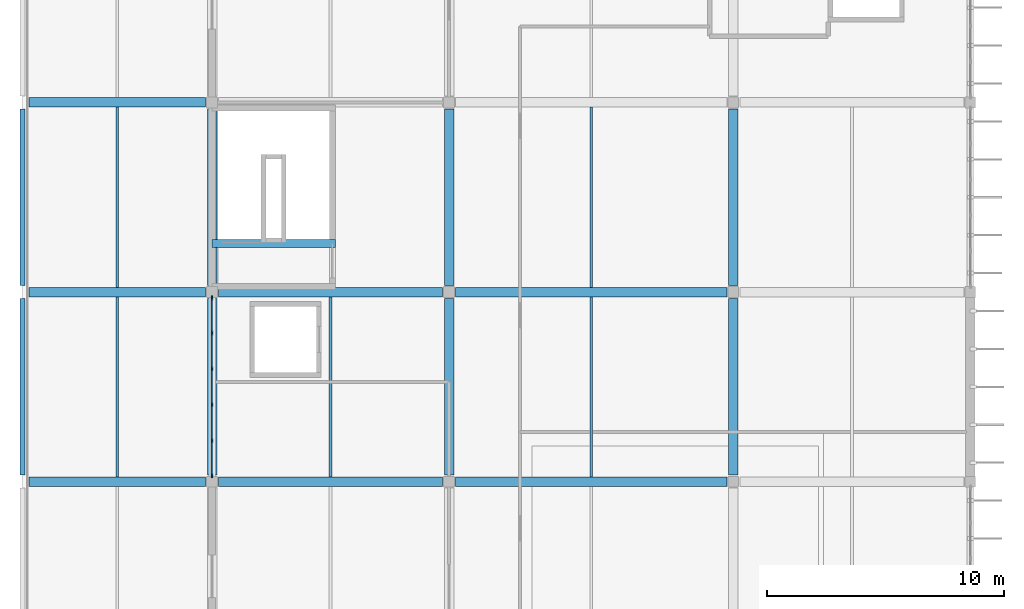
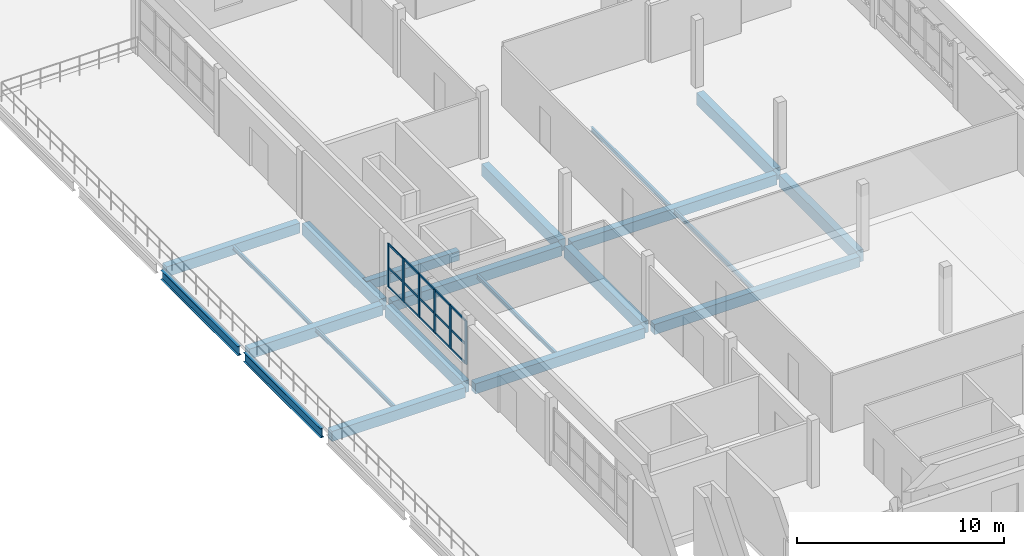
# One storey, part 4 of 12: 21 beams, 21 members, 1 element without a shape of its own.
"""IFC4 building model written with IfcOpenShell, lengths in metres."""

import ifcopenshell
import ifcopenshell.guid

model = None  # the IFC model being written
_history = None  # IfcOwnerHistory: only IFC2X3 demands one
_inside = {}  # id of a spatial element -> (the spatial element, [elements in it])
_under = {}  # id of a project, library or spatial element -> (it, [spatial elements below it])
_declared = {}  # id of a project -> (the project, [libraries it declares])
_typed = {}  # id of a type object -> (the type object, [elements of that type])
_made_of = {}  # id of a material, layer set ... -> (it, [elements and type objects made of it])


def new_model(schema):
    """Start an empty IFC model of exactly this schema.

    Asked for "IFC4X3", IfcOpenShell would pick the latest addendum, in which some entities
    have other attributes; the version numbers below select the first issue.
    IFC2X3 requires an IfcOwnerHistory on every rooted entity: one is made here for all.
    """
    global model, _history
    if schema == "IFC4X3":
        model = ifcopenshell.file(schema_version=(4, 3, 0, 0))
    else:
        model = ifcopenshell.file(schema=schema)
    _inside.clear()
    _under.clear()
    _declared.clear()
    _typed.clear()
    _made_of.clear()
    _history = None
    if model.schema == "IFC2X3":
        org = make("IfcOrganization", Name="unknown")
        user = make(
            "IfcPersonAndOrganization",
            ThePerson=make("IfcPerson", FamilyName="unknown"),
            TheOrganization=org,
        )
        app = make(
            "IfcApplication",
            ApplicationDeveloper=org,
            Version="unknown",
            ApplicationFullName="unknown",
            ApplicationIdentifier="unknown",
        )
        _history = make(
            "IfcOwnerHistory",
            OwningUser=user,
            OwningApplication=app,
            ChangeAction="ADDED",
            CreationDate=0,
        )
    return model


def make(cls, **values):
    """One entity of the class cls with the attributes given. An attribute that is None is left unset."""
    return model.create_entity(
        cls, **{name: value for name, value in values.items() if value is not None}
    )


def rooted(cls, **values):
    """An entity with a GlobalId (a new one), such as an element, a storey or a relation."""
    return make(cls, GlobalId=ifcopenshell.guid.new(), OwnerHistory=_history, **values)


def si_unit(unit_type, name, prefix=None):
    """IfcSIUnit, for example si_unit("LENGTHUNIT", "METRE", prefix="MILLI")."""
    return make("IfcSIUnit", UnitType=unit_type, Prefix=prefix, Name=name)


def assignment(units):
    """IfcUnitAssignment: the units of a project."""
    return None if units is None else make("IfcUnitAssignment", Units=units)


def point(xyz):
    """IfcCartesianPoint."""
    return None if xyz is None else make("IfcCartesianPoint", Coordinates=xyz)


def direction(xyz):
    """IfcDirection."""
    return None if xyz is None else make("IfcDirection", DirectionRatios=xyz)


def frame(location, z_axis=None, x_axis=None):
    """IfcAxis2Placement3D, a coordinate frame: its origin and axes. An axis left out is left unset."""
    return make(
        "IfcAxis2Placement3D",
        Location=point(location),
        Axis=direction(z_axis),
        RefDirection=direction(x_axis),
    )


def frame_2d(location, x_axis=None):
    """IfcAxis2Placement2D, a coordinate frame in the plane: its origin and x axis."""
    return make(
        "IfcAxis2Placement2D", Location=point(location), RefDirection=direction(x_axis)
    )


def origin():
    """The frame at (0, 0, 0) with its axes left unset."""
    return frame((0.0, 0.0, 0.0))


def origin_2d():
    """The frame at (0, 0) in the plane with its x axis left unset."""
    return frame_2d((0.0, 0.0))


def place(relative_to, where):
    """IfcLocalPlacement: puts the frame where relative to a parent placement (None: the world)."""
    return make(
        "IfcLocalPlacement", PlacementRelTo=relative_to, RelativePlacement=where
    )


def context(
    kind, dimensions, precision=None, world=None, true_north=None, identifier=None
):
    """IfcGeometricRepresentationContext, for example the 3D "Model" context."""
    return make(
        "IfcGeometricRepresentationContext",
        ContextIdentifier=identifier,
        ContextType=kind,
        CoordinateSpaceDimension=dimensions,
        Precision=precision,
        WorldCoordinateSystem=world,
        TrueNorth=true_north,
    )


def subcontext(parent, identifier, kind, view, scale=None):
    """IfcGeometricRepresentationSubContext, for example "Body" below "Model"."""
    return make(
        "IfcGeometricRepresentationSubContext",
        ContextIdentifier=identifier,
        ContextType=kind,
        ParentContext=parent,
        TargetScale=scale,
        TargetView=view,
    )


def project(units=None, contexts=None):
    """IfcProject with its units and contexts."""
    return rooted(
        "IfcProject",
        Name="project",
        RepresentationContexts=contexts,
        UnitsInContext=assignment(units),
    )


def spatial(cls, under=None, at=None, **own):
    """A site, building, storey or space (cls), placed at a placement, below another one or the project."""
    s = rooted(cls, ObjectPlacement=at, **own)
    if under is not None:
        _under.setdefault(under.id(), (under, []))[1].append(s)
    return s


def profile(cls, at=None, kind="AREA", **sizes):
    """A parametric profile (cls). Its sizes go by their IFC names, for example OverallWidth=200.0."""
    return make(cls, ProfileType=kind, Position=at, **sizes)


def rectangle(**sizes):
    """IfcRectangleProfileDef."""
    return profile("IfcRectangleProfileDef", **sizes)


def i_section(**sizes):
    """IfcIShapeProfileDef."""
    return profile("IfcIShapeProfileDef", **sizes)


def extrude(swept, where, along, depth):
    """IfcExtrudedAreaSolid: the profile swept, set in the frame where, extruded along a direction by depth."""
    return make(
        "IfcExtrudedAreaSolid",
        SweptArea=swept,
        Position=where,
        ExtrudedDirection=direction(along),
        Depth=depth,
    )


def shape(context_of_items, identifier, shape_type, items):
    """IfcShapeRepresentation: the items that make up one representation, for example the "Body"."""
    return make(
        "IfcShapeRepresentation",
        ContextOfItems=context_of_items,
        RepresentationIdentifier=identifier,
        RepresentationType=shape_type,
        Items=items,
    )


def material(Name=None, Category=None):
    """IfcMaterial."""
    return make("IfcMaterial", Name=Name, Category=Category)


def layer(
    of_material, thickness, ventilated=None, Name=None, Category=None, Priority=None
):
    """IfcMaterialLayer: one layer of a wall or slab, of a material (None: an air gap)."""
    return make(
        "IfcMaterialLayer",
        Material=of_material,
        LayerThickness=thickness,
        IsVentilated=ventilated,
        Name=Name,
        Category=Category,
        Priority=Priority,
    )


def layer_set(layers, Name=None):
    """IfcMaterialLayerSet."""
    return make("IfcMaterialLayerSet", MaterialLayers=layers, LayerSetName=Name)


def material_profile(
    of_material, cross_section, Name=None, Category=None, Priority=None
):
    """IfcMaterialProfile: a cross section and its material."""
    return make(
        "IfcMaterialProfile",
        Name=Name,
        Material=of_material,
        Profile=cross_section,
        Priority=Priority,
        Category=Category,
    )


def profile_set(profiles, Name=None, composite=None):
    """IfcMaterialProfileSet."""
    return make(
        "IfcMaterialProfileSet",
        Name=Name,
        MaterialProfiles=profiles,
        CompositeProfile=composite,
    )


def made_of(thing, what):
    """Note that an element or type object is made of a material, layer set ...; save() writes the relation."""
    if what is not None:
        _made_of.setdefault(what.id(), (what, []))[1].append(thing)
    return thing


def type_object(cls, material=None, **own):
    """A type object (cls), such as IfcWallType, which elements share."""
    return made_of(rooted(cls, **own), material)


def element(
    cls,
    number,
    at=None,
    inside=None,
    cuts=None,
    type_object=None,
    material=None,
    context=None,
    identifier="Body",
    shape_type=None,
    held_by="IfcProductDefinitionShape",
    body=None,
    shapes=None,
    **own,
):
    """One element of the class cls, such as IfcWall. Its Tag is "e" and its number.

    at: its placement. inside: the storey or other place that contains it. cuts: it is an
    opening in that element (IfcRelVoidsElement). A single representation is given by context,
    identifier, shape_type and body (its items); several are given by shapes. held_by: the class
    of the entity that holds the representations. save() writes the other relations.
    """
    e = rooted(cls, Tag="e%d" % number, ObjectPlacement=at, **own)
    if body is not None:
        shapes = [shape(context, identifier, shape_type, body)]
    if shapes is not None:
        e.Representation = make(held_by, Representations=shapes)
    if inside is not None:
        _inside.setdefault(inside.id(), (inside, []))[1].append(e)
    if cuts is not None:
        rooted(
            "IfcRelVoidsElement", RelatingBuildingElement=cuts, RelatedOpeningElement=e
        )
    if type_object is not None:
        _typed.setdefault(type_object.id(), (type_object, []))[1].append(e)
    return made_of(e, material)


def aggregate(whole, parts):
    """IfcRelAggregates: a whole, such as a stair, and the parts it consists of."""
    return rooted("IfcRelAggregates", RelatingObject=whole, RelatedObjects=parts)


def save(model, path):
    """Write the relations noted so far, then the file.

    IfcRelAggregates (storeys below a building ...), IfcRelContainedInSpatialStructure (elements
    in a storey), IfcRelDefinesByType, IfcRelAssociatesMaterial and IfcRelDeclares: one each for
    every whole, place, type object, material and project.
    """
    for whole, parts in _under.values():
        aggregate(whole, parts)
    for where, things in _inside.values():
        rooted(
            "IfcRelContainedInSpatialStructure",
            RelatedElements=things,
            RelatingStructure=where,
        )
    for kind, things in _typed.values():
        rooted("IfcRelDefinesByType", RelatedObjects=things, RelatingType=kind)
    for what, things in _made_of.values():
        rooted("IfcRelAssociatesMaterial", RelatedObjects=things, RelatingMaterial=what)
    for by, libraries in _declared.values():
        rooted("IfcRelDeclares", RelatingContext=by, RelatedDefinitions=libraries)
    model.write(path)


model = new_model("IFC4")

# Units and contexts
model_context = context("Model", 3, precision=1e-05, world=origin(), true_north=direction((0.0, 1.0)))
body_context = subcontext(model_context, "Body", "Model", "MODEL_VIEW")
ifc_project = project(units=[si_unit("LENGTHUNIT", "METRE"), si_unit("AREAUNIT", "SQUARE_METRE"), si_unit("VOLUMEUNIT", "CUBIC_METRE"), si_unit("PLANEANGLEUNIT", "RADIAN"), si_unit("MASSUNIT", "GRAM", prefix="KILO")], contexts=[model_context])

# Site, building, storey
site_placement = place(None, origin())
site = spatial("IfcSite", under=ifc_project, at=site_placement, CompositionType="ELEMENT")
building_placement = place(site_placement, origin())
building = spatial("IfcBuilding", under=site, at=building_placement, Name="Drelvana Railside Aquatics Centre", CompositionType="ELEMENT")
storey_placement = place(building_placement, frame((0.0, 0.0, 18.60009765625)))
storey = spatial("IfcBuildingStorey", under=building, at=storey_placement, Name="L04", CompositionType="ELEMENT", Elevation=18.60009765625)

# Curtain wall, members
ifc_material_1 = material(Name="Bronze-anodised aluminium curtain wall", Category="aluminium")
ifc_layer = layer(ifc_material_1, 0.175048828125, Name="Bronze-anodised aluminium curtain wall")
ifc_layer_set = layer_set([ifc_layer], Name="Bronze-anodised aluminium curtain wall")
curtain_wall_type = type_object("IfcCurtainWallType", Name="CW-Z6-WING", PredefinedType="NOTDEFINED", material=ifc_layer_set)
curtain_wall_placement = place(storey_placement, origin())
curtain_wall = element("IfcCurtainWall", 1, at=curtain_wall_placement, inside=storey, type_object=curtain_wall_type, Name="Curtain wall CW-06-164", PredefinedType="NOTDEFINED")
ifc_material_2 = material(Name="Bronze-anodised aluminium 6063-T6", Category="aluminium")
ifc_material_profile_1 = material_profile(ifc_material_2, rectangle(XDim=0.06494140625, YDim=0.175048828125, at=origin_2d()), Name="ALU-M 65x175")
ifc_profile_set_1 = profile_set([ifc_material_profile_1], Name="Bronze-anodised aluminium 6063-T6")
member_type_1 = type_object("IfcMemberType", Name="CW-Z6-WING-MUL", PredefinedType="MULLION", material=ifc_profile_set_1)
member_1_placement = place(storey_placement, frame((152.0, 48.25146484375, 0.7939453125), z_axis=(0.0, 0.0, 1.0), x_axis=(-1.0, 0.0, 0.0)))
member_1 = element("IfcMember", 2, at=member_1_placement, type_object=member_type_1, Name="CW-06 mullion 1", PredefinedType="MULLION", context=body_context, shape_type="SweptSolid", body=[
    extrude(rectangle(XDim=0.06494140625, YDim=0.175048828125, at=origin_2d()), origin(), (0.0, 0.0, 1.0), 2.571044921875),
])
member_2_placement = place(storey_placement, frame((152.0, 49.7314453125, 0.7939453125), z_axis=(0.0, 0.0, 1.0), x_axis=(-1.0, 0.0, 0.0)))
member_2 = element("IfcMember", 3, at=member_2_placement, type_object=member_type_1, Name="CW-06 mullion 2", PredefinedType="MULLION", context=body_context, shape_type="SweptSolid", body=[
    extrude(rectangle(XDim=0.06494140625, YDim=0.175048828125, at=origin_2d()), origin(), (0.0, 0.0, 1.0), 2.571044921875),
])
member_3_placement = place(storey_placement, frame((152.0, 51.243896484375, 0.7939453125), z_axis=(0.0, 0.0, 1.0), x_axis=(-1.0, 0.0, 0.0)))
member_3 = element("IfcMember", 4, at=member_3_placement, type_object=member_type_1, Name="CW-06 mullion 3", PredefinedType="MULLION", context=body_context, shape_type="SweptSolid", body=[
    extrude(rectangle(XDim=0.06494140625, YDim=0.175048828125, at=origin_2d()), origin(), (0.0, 0.0, 1.0), 2.571044921875),
])
member_4_placement = place(storey_placement, frame((152.0, 52.756103515625, 0.7939453125), z_axis=(0.0, 0.0, 1.0), x_axis=(-1.0, 0.0, 0.0)))
member_4 = element("IfcMember", 5, at=member_4_placement, type_object=member_type_1, Name="CW-06 mullion 4", PredefinedType="MULLION", context=body_context, shape_type="SweptSolid", body=[
    extrude(rectangle(XDim=0.06494140625, YDim=0.175048828125, at=origin_2d()), origin(), (0.0, 0.0, 1.0), 2.571044921875),
])
member_5_placement = place(storey_placement, frame((152.0, 54.2685546875, 0.7939453125), z_axis=(0.0, 0.0, 1.0), x_axis=(-1.0, 0.0, 0.0)))
member_5 = element("IfcMember", 6, at=member_5_placement, type_object=member_type_1, Name="CW-06 mullion 5", PredefinedType="MULLION", context=body_context, shape_type="SweptSolid", body=[
    extrude(rectangle(XDim=0.06494140625, YDim=0.175048828125, at=origin_2d()), origin(), (0.0, 0.0, 1.0), 2.571044921875),
])
member_6_placement = place(storey_placement, frame((152.0, 55.74853515625, 0.7939453125), z_axis=(0.0, 0.0, 1.0), x_axis=(-1.0, 0.0, 0.0)))
member_6 = element("IfcMember", 7, at=member_6_placement, type_object=member_type_1, Name="CW-06 mullion 6", PredefinedType="MULLION", context=body_context, shape_type="SweptSolid", body=[
    extrude(rectangle(XDim=0.06494140625, YDim=0.175048828125, at=origin_2d()), origin(), (0.0, 0.0, 1.0), 2.571044921875),
])
ifc_material_profile_2 = material_profile(ifc_material_2, rectangle(XDim=0.1201171875, YDim=0.06005859375, at=origin_2d()), Name="ALU-T 60x120")
ifc_profile_set_2 = profile_set([ifc_material_profile_2], Name="Bronze-anodised aluminium 6063-T6")
member_type_2 = type_object("IfcMemberType", Name="CW-Z6-WING-TRN", PredefinedType="USERDEFINED", material=ifc_profile_set_2)
member_7_placement = place(storey_placement, frame((152.0, 48.279052734375, 0.823974609375), z_axis=(0.0, 1.0, 0.0), x_axis=(0.0, 0.0, 1.0)))
member_7 = element("IfcMember", 8, at=member_7_placement, type_object=member_type_2, Name="CW-06 transom 1.1", ObjectType="TRANSOM", PredefinedType="USERDEFINED", context=body_context, shape_type="SweptSolid", body=[
    extrude(rectangle(XDim=0.1201171875, YDim=0.06005859375, at=origin_2d()), origin(), (0.0, 0.0, 1.0), 1.4248046875),
])
member_8_placement = place(storey_placement, frame((152.0, 48.279052734375, 1.950927734375), z_axis=(0.0, 1.0, 0.0), x_axis=(0.0, 0.0, 1.0)))
member_8 = element("IfcMember", 9, at=member_8_placement, type_object=member_type_2, Name="CW-06 transom 1.2", ObjectType="TRANSOM", PredefinedType="USERDEFINED", context=body_context, shape_type="SweptSolid", body=[
    extrude(rectangle(XDim=0.1201171875, YDim=0.06005859375, at=origin_2d()), origin(), (0.0, 0.0, 1.0), 1.4248046875),
])
member_9_placement = place(storey_placement, frame((152.0, 48.279052734375, 3.3349609375), z_axis=(0.0, 1.0, 0.0), x_axis=(0.0, 0.0, 1.0)))
member_9 = element("IfcMember", 10, at=member_9_placement, type_object=member_type_2, Name="CW-06 transom 1.3", ObjectType="TRANSOM", PredefinedType="USERDEFINED", context=body_context, shape_type="SweptSolid", body=[
    extrude(rectangle(XDim=0.1201171875, YDim=0.06005859375, at=origin_2d()), origin(), (0.0, 0.0, 1.0), 1.4248046875),
])
member_10_placement = place(storey_placement, frame((152.0, 49.7587890625, 0.823974609375), z_axis=(0.0, 1.0, 0.0), x_axis=(0.0, 0.0, 1.0)))
member_10 = element("IfcMember", 11, at=member_10_placement, type_object=member_type_2, Name="CW-06 transom 2.1", ObjectType="TRANSOM", PredefinedType="USERDEFINED", context=body_context, shape_type="SweptSolid", body=[
    extrude(rectangle(XDim=0.1201171875, YDim=0.06005859375, at=origin_2d()), origin(), (0.0, 0.0, 1.0), 1.45751953125),
])
member_11_placement = place(storey_placement, frame((152.0, 49.7587890625, 1.950927734375), z_axis=(0.0, 1.0, 0.0), x_axis=(0.0, 0.0, 1.0)))
member_11 = element("IfcMember", 12, at=member_11_placement, type_object=member_type_2, Name="CW-06 transom 2.2", ObjectType="TRANSOM", PredefinedType="USERDEFINED", context=body_context, shape_type="SweptSolid", body=[
    extrude(rectangle(XDim=0.1201171875, YDim=0.06005859375, at=origin_2d()), origin(), (0.0, 0.0, 1.0), 1.45751953125),
])
member_12_placement = place(storey_placement, frame((152.0, 49.7587890625, 3.3349609375), z_axis=(0.0, 1.0, 0.0), x_axis=(0.0, 0.0, 1.0)))
member_12 = element("IfcMember", 13, at=member_12_placement, type_object=member_type_2, Name="CW-06 transom 2.3", ObjectType="TRANSOM", PredefinedType="USERDEFINED", context=body_context, shape_type="SweptSolid", body=[
    extrude(rectangle(XDim=0.1201171875, YDim=0.06005859375, at=origin_2d()), origin(), (0.0, 0.0, 1.0), 1.45751953125),
])
member_13_placement = place(storey_placement, frame((152.0, 51.271240234375, 0.823974609375), z_axis=(0.0, 1.0, 0.0), x_axis=(0.0, 0.0, 1.0)))
member_13 = element("IfcMember", 14, at=member_13_placement, type_object=member_type_2, Name="CW-06 transom 3.1", ObjectType="TRANSOM", PredefinedType="USERDEFINED", context=body_context, shape_type="SweptSolid", body=[
    extrude(rectangle(XDim=0.1201171875, YDim=0.06005859375, at=origin_2d()), origin(), (0.0, 0.0, 1.0), 1.45751953125),
])
member_14_placement = place(storey_placement, frame((152.0, 51.271240234375, 1.950927734375), z_axis=(0.0, 1.0, 0.0), x_axis=(0.0, 0.0, 1.0)))
member_14 = element("IfcMember", 15, at=member_14_placement, type_object=member_type_2, Name="CW-06 transom 3.2", ObjectType="TRANSOM", PredefinedType="USERDEFINED", context=body_context, shape_type="SweptSolid", body=[
    extrude(rectangle(XDim=0.1201171875, YDim=0.06005859375, at=origin_2d()), origin(), (0.0, 0.0, 1.0), 1.45751953125),
])
member_15_placement = place(storey_placement, frame((152.0, 51.271240234375, 3.3349609375), z_axis=(0.0, 1.0, 0.0), x_axis=(0.0, 0.0, 1.0)))
member_15 = element("IfcMember", 16, at=member_15_placement, type_object=member_type_2, Name="CW-06 transom 3.3", ObjectType="TRANSOM", PredefinedType="USERDEFINED", context=body_context, shape_type="SweptSolid", body=[
    extrude(rectangle(XDim=0.1201171875, YDim=0.06005859375, at=origin_2d()), origin(), (0.0, 0.0, 1.0), 1.45751953125),
])
member_16_placement = place(storey_placement, frame((152.0, 52.78369140625, 0.823974609375), z_axis=(0.0, 1.0, 0.0), x_axis=(0.0, 0.0, 1.0)))
member_16 = element("IfcMember", 17, at=member_16_placement, type_object=member_type_2, Name="CW-06 transom 4.1", ObjectType="TRANSOM", PredefinedType="USERDEFINED", context=body_context, shape_type="SweptSolid", body=[
    extrude(rectangle(XDim=0.1201171875, YDim=0.06005859375, at=origin_2d()), origin(), (0.0, 0.0, 1.0), 1.45751953125),
])
member_17_placement = place(storey_placement, frame((152.0, 52.78369140625, 1.950927734375), z_axis=(0.0, 1.0, 0.0), x_axis=(0.0, 0.0, 1.0)))
member_17 = element("IfcMember", 18, at=member_17_placement, type_object=member_type_2, Name="CW-06 transom 4.2", ObjectType="TRANSOM", PredefinedType="USERDEFINED", context=body_context, shape_type="SweptSolid", body=[
    extrude(rectangle(XDim=0.1201171875, YDim=0.06005859375, at=origin_2d()), origin(), (0.0, 0.0, 1.0), 1.45751953125),
])
member_18_placement = place(storey_placement, frame((152.0, 52.78369140625, 3.3349609375), z_axis=(0.0, 1.0, 0.0), x_axis=(0.0, 0.0, 1.0)))
member_18 = element("IfcMember", 19, at=member_18_placement, type_object=member_type_2, Name="CW-06 transom 4.3", ObjectType="TRANSOM", PredefinedType="USERDEFINED", context=body_context, shape_type="SweptSolid", body=[
    extrude(rectangle(XDim=0.1201171875, YDim=0.06005859375, at=origin_2d()), origin(), (0.0, 0.0, 1.0), 1.45751953125),
])
member_19_placement = place(storey_placement, frame((152.0, 54.296142578125, 0.823974609375), z_axis=(0.0, 1.0, 0.0), x_axis=(0.0, 0.0, 1.0)))
member_19 = element("IfcMember", 20, at=member_19_placement, type_object=member_type_2, Name="CW-06 transom 5.1", ObjectType="TRANSOM", PredefinedType="USERDEFINED", context=body_context, shape_type="SweptSolid", body=[
    extrude(rectangle(XDim=0.1201171875, YDim=0.06005859375, at=origin_2d()), origin(), (0.0, 0.0, 1.0), 1.4248046875),
])
member_20_placement = place(storey_placement, frame((152.0, 54.296142578125, 1.950927734375), z_axis=(0.0, 1.0, 0.0), x_axis=(0.0, 0.0, 1.0)))
member_20 = element("IfcMember", 21, at=member_20_placement, type_object=member_type_2, Name="CW-06 transom 5.2", ObjectType="TRANSOM", PredefinedType="USERDEFINED", context=body_context, shape_type="SweptSolid", body=[
    extrude(rectangle(XDim=0.1201171875, YDim=0.06005859375, at=origin_2d()), origin(), (0.0, 0.0, 1.0), 1.4248046875),
])
member_21_placement = place(storey_placement, frame((152.0, 54.296142578125, 3.3349609375), z_axis=(0.0, 1.0, 0.0), x_axis=(0.0, 0.0, 1.0)))
member_21 = element("IfcMember", 22, at=member_21_placement, type_object=member_type_2, Name="CW-06 transom 5.3", ObjectType="TRANSOM", PredefinedType="USERDEFINED", context=body_context, shape_type="SweptSolid", body=[
    extrude(rectangle(XDim=0.1201171875, YDim=0.06005859375, at=origin_2d()), origin(), (0.0, 0.0, 1.0), 1.4248046875),
])
aggregate(curtain_wall, [member_1, member_2, member_3, member_4, member_5, member_6, member_7, member_8, member_9, member_10, member_11, member_12, member_13, member_14, member_15, member_16, member_17, member_18, member_19, member_20, member_21])

# Beams
ifc_material_3 = material(Name="Concrete C40/50", Category="concrete")
ifc_material_profile_3 = material_profile(ifc_material_3, rectangle(XDim=0.35009765625, YDim=0.550048828125, at=origin_2d()), Name="RC 350x550")
ifc_profile_set_3 = profile_set([ifc_material_profile_3], Name="Concrete C40/50")
beam_type_1 = type_object("IfcBeamType", Name="STR-BM-BM-01-RC-350x550", PredefinedType="BEAM", material=ifc_profile_set_3)
beam_1_placement = place(storey_placement, frame((152.0, 58.050048828125, -0.47509765625), z_axis=(1.0, 0.0, 0.0), x_axis=(0.0, 1.0, 0.0)))
element("IfcBeam", 23, at=beam_1_placement, inside=storey, type_object=beam_type_1, Name="Stair ST-08 L04 landing beam", PredefinedType="BEAM", context=body_context, shape_type="SweptSolid", body=[
    extrude(rectangle(XDim=0.35009765625, YDim=0.550048828125, at=origin_2d()), origin(), (0.0, 0.0, 1.0), 5.199951171875),
])
ifc_material_profile_4 = material_profile(ifc_material_3, rectangle(XDim=0.39990234375, YDim=0.60009765625, at=origin_2d()), Name="RC 400x600")
ifc_profile_set_4 = profile_set([ifc_material_profile_4], Name="Concrete C40/50")
beam_type_2 = type_object("IfcBeamType", Name="STR-BM-BM-02-RC-400x600", PredefinedType="BEAM", material=ifc_profile_set_4)
beam_2_placement = place(storey_placement, frame((144.27490234375, 48.0, -0.525146484375), z_axis=(1.0, 0.0, 0.0), x_axis=(0.0, 1.0, 0.0)))
element("IfcBeam", 24, at=beam_2_placement, inside=storey, type_object=beam_type_2, Name="Girder BM-02 (L04)", PredefinedType="BEAM", context=body_context, shape_type="SweptSolid", body=[
    extrude(rectangle(XDim=0.39990234375, YDim=0.60009765625, at=origin_2d()), origin(), (0.0, 0.0, 1.0), 7.4501953125),
])
beam_3_placement = place(storey_placement, frame((152.27490234375, 48.0, -0.525146484375), z_axis=(1.0, 0.0, 0.0), x_axis=(0.0, 1.0, 0.0)))
element("IfcBeam", 25, at=beam_3_placement, inside=storey, type_object=beam_type_2, Name="Girder BM-02 (L04)", PredefinedType="BEAM", context=body_context, shape_type="SweptSolid", body=[
    extrude(rectangle(XDim=0.39990234375, YDim=0.60009765625, at=origin_2d()), origin(), (0.0, 0.0, 1.0), 9.4501953125),
])
beam_4_placement = place(storey_placement, frame((162.27490234375, 48.0, -0.525146484375), z_axis=(1.0, 0.0, 0.0), x_axis=(0.0, 1.0, 0.0)))
element("IfcBeam", 26, at=beam_4_placement, inside=storey, type_object=beam_type_2, Name="Girder BM-02 (L04)", PredefinedType="BEAM", context=body_context, shape_type="SweptSolid", body=[
    extrude(rectangle(XDim=0.39990234375, YDim=0.60009765625, at=origin_2d()), origin(), (0.0, 0.0, 1.0), 11.4501953125),
])
beam_5_placement = place(storey_placement, frame((144.27490234375, 56.0, -0.525146484375), z_axis=(1.0, 0.0, 0.0), x_axis=(0.0, 1.0, 0.0)))
element("IfcBeam", 27, at=beam_5_placement, inside=storey, type_object=beam_type_2, Name="Girder BM-02 (L04)", PredefinedType="BEAM", context=body_context, shape_type="SweptSolid", body=[
    extrude(rectangle(XDim=0.39990234375, YDim=0.60009765625, at=origin_2d()), origin(), (0.0, 0.0, 1.0), 7.4501953125),
])
beam_6_placement = place(storey_placement, frame((152.27490234375, 56.0, -0.525146484375), z_axis=(1.0, 0.0, 0.0), x_axis=(0.0, 1.0, 0.0)))
element("IfcBeam", 28, at=beam_6_placement, inside=storey, type_object=beam_type_2, Name="Girder BM-02 (L04)", PredefinedType="BEAM", context=body_context, shape_type="SweptSolid", body=[
    extrude(rectangle(XDim=0.39990234375, YDim=0.60009765625, at=origin_2d()), origin(), (0.0, 0.0, 1.0), 9.4501953125),
])
beam_7_placement = place(storey_placement, frame((162.27490234375, 56.0, -0.525146484375), z_axis=(1.0, 0.0, 0.0), x_axis=(0.0, 1.0, 0.0)))
element("IfcBeam", 29, at=beam_7_placement, inside=storey, type_object=beam_type_2, Name="Girder BM-02 (L04)", PredefinedType="BEAM", context=body_context, shape_type="SweptSolid", body=[
    extrude(rectangle(XDim=0.39990234375, YDim=0.60009765625, at=origin_2d()), origin(), (0.0, 0.0, 1.0), 11.4501953125),
])
beam_8_placement = place(storey_placement, frame((144.27490234375, 64.0, -0.525146484375), z_axis=(1.0, 0.0, 0.0), x_axis=(0.0, 1.0, 0.0)))
element("IfcBeam", 30, at=beam_8_placement, inside=storey, type_object=beam_type_2, Name="Girder BM-02 (L04)", PredefinedType="BEAM", context=body_context, shape_type="SweptSolid", body=[
    extrude(rectangle(XDim=0.39990234375, YDim=0.60009765625, at=origin_2d()), origin(), (0.0, 0.0, 1.0), 7.4501953125),
])
ifc_material_profile_5 = material_profile(ifc_material_3, rectangle(XDim=0.39990234375, YDim=0.699951171875, at=origin_2d()), Name="RC 400x700")
ifc_profile_set_5 = profile_set([ifc_material_profile_5], Name="Concrete C40/50")
beam_type_3 = type_object("IfcBeamType", Name="STR-BM-BM-03-RC-400x700", PredefinedType="BEAM", material=ifc_profile_set_5)
for number, where, z_axis, x_axis, name in (
    (31, (152.0, 48.27490234375, -0.5751953125), (0.0, 1.0, 0.0), (-1.0, 0.0, 0.0), "Girder BM-03 (L04)"),
    (32, (152.0, 56.27490234375, -0.5751953125), (0.0, 1.0, 0.0), (-1.0, 0.0, 0.0), "Girder BM-03 (L04)"),
    (33, (162.0, 48.27490234375, -0.5751953125), (0.0, 1.0, 0.0), (-1.0, 0.0, 0.0), "Girder BM-03 (L04)"),
    (34, (162.0, 56.27490234375, -0.5751953125), (0.0, 1.0, 0.0), (-1.0, 0.0, 0.0), "Girder BM-03 (L04)"),
    (35, (174.0, 48.27490234375, -0.5751953125), (0.0, 1.0, 0.0), (-1.0, 0.0, 0.0), "Girder BM-03 (L04)"),
    (36, (174.0, 56.27490234375, -0.5751953125), (0.0, 1.0, 0.0), (-1.0, 0.0, 0.0), "Girder BM-03 (L04)"),
):
    element("IfcBeam", number, at=place(storey_placement, frame(where, z_axis=z_axis, x_axis=x_axis)), inside=storey, type_object=beam_type_3, Name=name, PredefinedType="BEAM", context=body_context, shape_type="SweptSolid", body=[
        extrude(rectangle(XDim=0.39990234375, YDim=0.699951171875, at=origin_2d()), origin(), (0.0, 0.0, 1.0), 7.4501953125),
    ])
ifc_material_4 = material(Name="Structural steel S355", Category="steel")
ifc_material_profile_6 = material_profile(ifc_material_4, i_section(OverallWidth=0.2099609375, OverallDepth=0.550048828125, WebThickness=0.010986328125, FlangeThickness=0.01708984375, at=origin_2d()), Name="IPE 550")
ifc_profile_set_6 = profile_set([ifc_material_profile_6], Name="Structural steel S355")
beam_type_4 = type_object("IfcBeamType", Name="STR-SBM-SB-04-IPE-550", PredefinedType="SPANDREL", material=ifc_profile_set_6)
for number, where, z_axis, x_axis, name in (
    (37, (144.0, 48.27490234375, -0.5), (0.0, 1.0, 0.0), (-1.0, 0.0, 0.0), "Girder SB-04 (L04)"),
    (38, (144.0, 56.27490234375, -0.5), (0.0, 1.0, 0.0), (-1.0, 0.0, 0.0), "Girder SB-04 (L04)"),
):
    element("IfcBeam", number, at=place(storey_placement, frame(where, z_axis=z_axis, x_axis=x_axis)), inside=storey, type_object=beam_type_4, Name=name, PredefinedType="SPANDREL", context=body_context, shape_type="SweptSolid", body=[
        extrude(i_section(OverallWidth=0.2099609375, OverallDepth=0.550048828125, WebThickness=0.010986328125, FlangeThickness=0.01708984375, at=origin_2d()), origin(), (0.0, 0.0, 1.0), 7.4501953125),
    ])
ifc_material_profile_7 = material_profile(ifc_material_4, i_section(OverallWidth=0.1201171875, OverallDepth=0.239990234375, WebThickness=0.006103515625, FlangeThickness=0.009765625, at=origin_2d()), Name="IPE 240")
ifc_profile_set_7 = profile_set([ifc_material_profile_7], Name="Structural steel S355")
beam_type_5 = type_object("IfcBeamType", Name="STR-SBM-SJ-01-IPE-240", PredefinedType="JOIST", material=ifc_profile_set_7)
for number, where, z_axis, x_axis, name in (
    (39, (148.0, 48.199951171875, -0.34521484375), (0.0, 1.0, 0.0), (-1.0, 0.0, 0.0), "Secondary floor joist SJ-01 (L04)"),
    (40, (148.0, 56.199951171875, -0.34521484375), (0.0, 1.0, 0.0), (-1.0, 0.0, 0.0), "Secondary floor joist SJ-01 (L04)"),
    (41, (157.0, 48.199951171875, -0.34521484375), (0.0, 1.0, 0.0), (-1.0, 0.0, 0.0), "Secondary floor joist SJ-01 (L04)"),
    (42, (168.0, 48.199951171875, -0.34521484375), (0.0, 1.0, 0.0), (-1.0, 0.0, 0.0), "Secondary floor joist SJ-01 (L04)"),
    (43, (168.0, 56.199951171875, -0.34521484375), (0.0, 1.0, 0.0), (-1.0, 0.0, 0.0), "Secondary floor joist SJ-01 (L04)"),
):
    element("IfcBeam", number, at=place(storey_placement, frame(where, z_axis=z_axis, x_axis=x_axis)), inside=storey, type_object=beam_type_5, Name=name, PredefinedType="JOIST", context=body_context, shape_type="SweptSolid", body=[
        extrude(i_section(OverallWidth=0.1201171875, OverallDepth=0.239990234375, WebThickness=0.006103515625, FlangeThickness=0.009765625, at=origin_2d()), origin(), (0.0, 0.0, 1.0), 7.60009765625),
    ])

save(model, "model.ifc")
